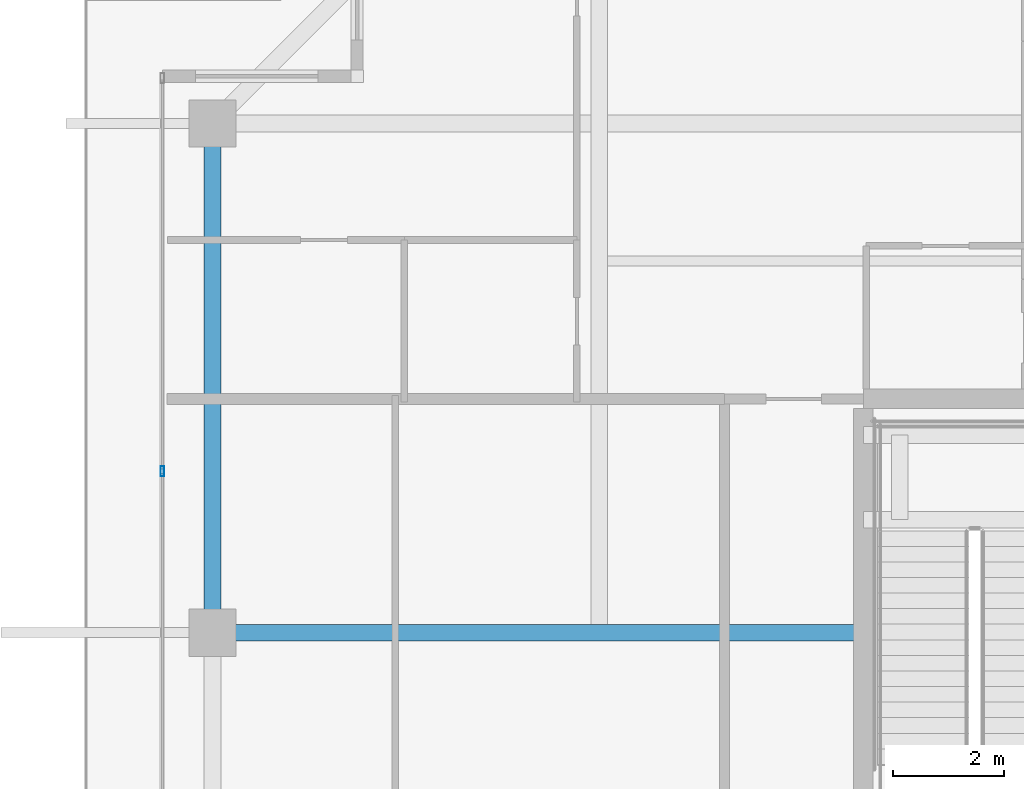
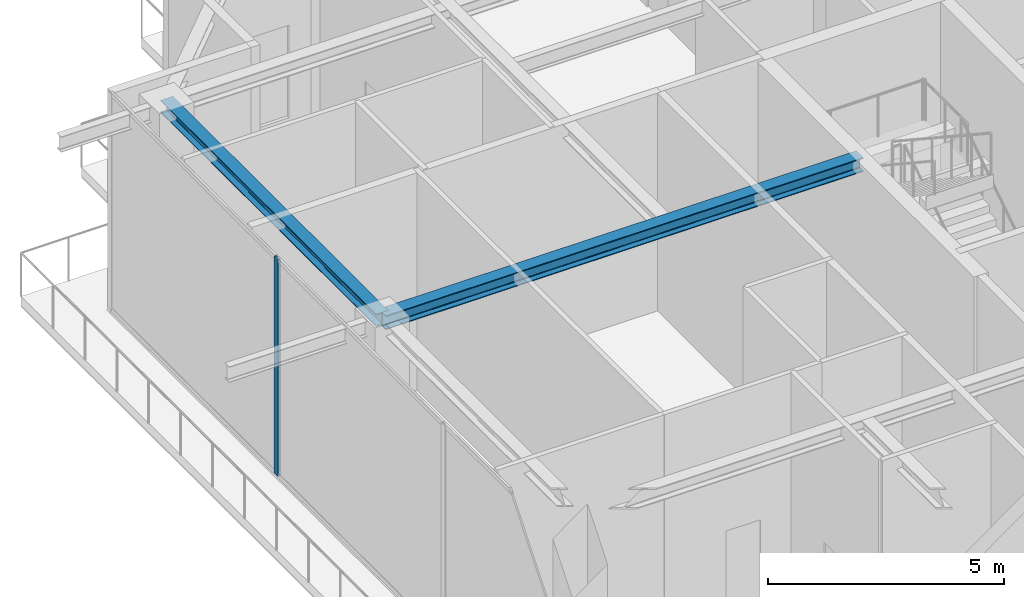
# One storey, part 10 of 40: 2 beams, 1 member, 1 element without a shape of its own.
"""IFC4 building model written with IfcOpenShell, lengths in metres."""

from ifc_helpers import new_model, si_unit, direction, frame, origin, origin_2d, place, context, subcontext, project, spatial, hollow_rectangle, i_section, extrude, source, transform, mapped, material, layer, layer_set, material_profile, profile_set, type_object, element, aggregate, save


model = new_model("IFC4")

# Units and contexts
model_context = context("Model", 3, precision=1e-05, world=origin(), true_north=direction((0.0, 1.0)))
body_context = subcontext(model_context, "Body", "Model", "MODEL_VIEW")
ifc_project = project(units=[si_unit("LENGTHUNIT", "METRE"), si_unit("AREAUNIT", "SQUARE_METRE"), si_unit("VOLUMEUNIT", "CUBIC_METRE"), si_unit("PLANEANGLEUNIT", "RADIAN"), si_unit("MASSUNIT", "GRAM", prefix="KILO")], contexts=[model_context])

# Site, building, storey
site_placement = place(None, origin())
site = spatial("IfcSite", under=ifc_project, at=site_placement, CompositionType="ELEMENT")
building_placement = place(site_placement, origin())
building = spatial("IfcBuilding", under=site, at=building_placement, Name="Serunith Strait Residences", CompositionType="ELEMENT")
storey_placement = place(building_placement, frame((0.0, 0.0, 347.949951171875)))
storey = spatial("IfcBuildingStorey", under=building, at=storey_placement, Name="L86", CompositionType="ELEMENT", Elevation=347.949951171875)

# Beams
ifc_material_1 = material(Name="Steel S355J2", Category="steel")
ifc_material_profile_1 = material_profile(ifc_material_1, i_section(OverallWidth=0.300048828125, OverallDepth=0.360107421875, WebThickness=0.012451171875, FlangeThickness=0.0224609375, FilletRadius=0.027099609375, at=origin_2d()), Name="HEB 360")
ifc_profile_set_1 = profile_set([ifc_material_profile_1], Name="Steel S355J2")
beam_type_1 = type_object("IfcBeamType", Name="BM-HEB360", PredefinedType="BEAM", material=ifc_profile_set_1)
shared_shape_1 = source(origin(), body_context, "Body", "SweptSolid", [
    extrude(i_section(OverallWidth=0.300048828125, OverallDepth=0.360107421875, WebThickness=0.012451171875, FlangeThickness=0.0224609375, FilletRadius=0.027099609375, at=origin_2d()), origin(), (0.0, 0.0, 1.0), 11.699951171875),
])
beam_1_placement = place(storey_placement, frame((23.39990234375, 29.39990234375, 5.45703125), z_axis=(-1.0, 0.0, 0.0), x_axis=(0.0, -1.0, 0.0)))
element("IfcBeam", 1, at=beam_1_placement, inside=storey, type_object=beam_type_1, Name="L86 Primary Floor Girder TC-W3", PredefinedType="BEAM", context=body_context, shape_type="MappedRepresentation", body=[
    mapped(shared_shape_1, transform((0.0, 0.0, 0.0), scale=1.0)),
])
ifc_material_profile_2 = material_profile(ifc_material_1, i_section(OverallWidth=0.300048828125, OverallDepth=0.320068359375, WebThickness=0.011474609375, FlangeThickness=0.0205078125, FilletRadius=0.027099609375, at=origin_2d()), Name="HEB 320")
ifc_profile_set_2 = profile_set([ifc_material_profile_2], Name="Steel S355J2")
beam_type_2 = type_object("IfcBeamType", Name="BM-HEB320", PredefinedType="BEAM", material=ifc_profile_set_2)
shared_shape_2 = source(origin(), body_context, "Body", "SweptSolid", [
    extrude(i_section(OverallWidth=0.300048828125, OverallDepth=0.320068359375, WebThickness=0.011474609375, FlangeThickness=0.0205078125, FilletRadius=0.027099609375, at=origin_2d()), origin(), (0.0, 0.0, 1.0), 9.150146484375),
])
beam_2_placement = place(storey_placement, frame((11.699951171875, 38.550048828125, 5.47705078125), z_axis=(0.0, -1.0, 0.0), x_axis=(1.0, 0.0, 0.0)))
element("IfcBeam", 2, at=beam_2_placement, inside=storey, type_object=beam_type_2, Name="L86 Perimeter Ring Beam 13", PredefinedType="BEAM", context=body_context, shape_type="MappedRepresentation", body=[
    mapped(shared_shape_2, transform((0.0, 0.0, 0.0), scale=1.0)),
])

# Curtain wall, member
ifc_material_2 = material(Name="Brushed Stainless-Silver Aluminium", Category="aluminium")
ifc_layer = layer(ifc_material_2, 0.199951171875, Name="Brushed Stainless-Silver Aluminium")
ifc_layer_set = layer_set([ifc_layer], Name="Brushed Stainless-Silver Aluminium")
curtain_wall_type = type_object("IfcCurtainWallType", Name="CW-SYS5", PredefinedType="NOTDEFINED", material=ifc_layer_set)
curtain_wall_placement = place(storey_placement, origin())
curtain_wall = element("IfcCurtainWall", 3, at=curtain_wall_placement, inside=storey, type_object=curtain_wall_type, Name="L86 W Unitised Fritted Curtain Wall", PredefinedType="NOTDEFINED")
ifc_material_profile_3 = material_profile(ifc_material_2, hollow_rectangle(XDim=0.06494140625, YDim=0.179931640625, WallThickness=0.00341796875, InnerFilletRadius=0.00537109375, OuterFilletRadius=0.0087890625, at=origin_2d()), Name="ALU 180x65x3.5")
ifc_profile_set_3 = profile_set([ifc_material_profile_3], Name="Brushed Stainless-Silver Aluminium")
member_type = type_object("IfcMemberType", Name="CW-SYS5-MULL", PredefinedType="MULLION", material=ifc_profile_set_3)
shared_shape_3 = source(origin(), body_context, "Body", "SweptSolid", [
    extrude(hollow_rectangle(XDim=0.06494140625, YDim=0.179931640625, WallThickness=0.00341796875, InnerFilletRadius=0.00537109375, OuterFilletRadius=0.0087890625, at=origin_2d()), origin(), (0.0, 0.0, 1.0), 5.625),
])
member_placement = place(storey_placement, frame((10.800048828125, 32.300048828125, 0.0), z_axis=(0.0, 0.0, 1.0), x_axis=(1.0, 0.0, 0.0)))
member = element("IfcMember", 4, at=member_placement, type_object=member_type, Name="CW-5 mullion 2", PredefinedType="MULLION", context=body_context, shape_type="MappedRepresentation", body=[
    mapped(shared_shape_3, transform((0.0, 0.0, 0.0), scale=1.0)),
])
aggregate(curtain_wall, [member])

save(model, "model.ifc")
